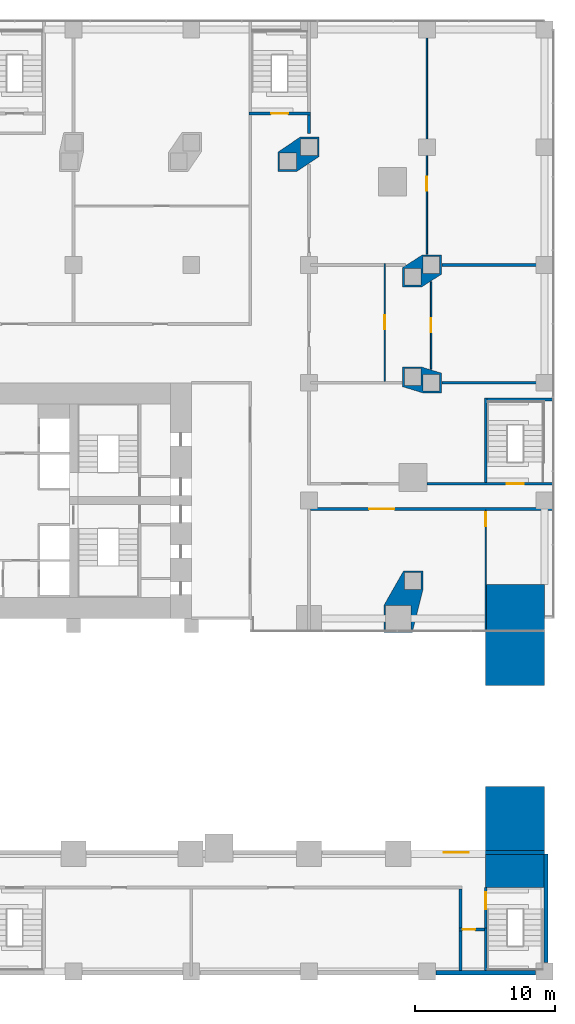
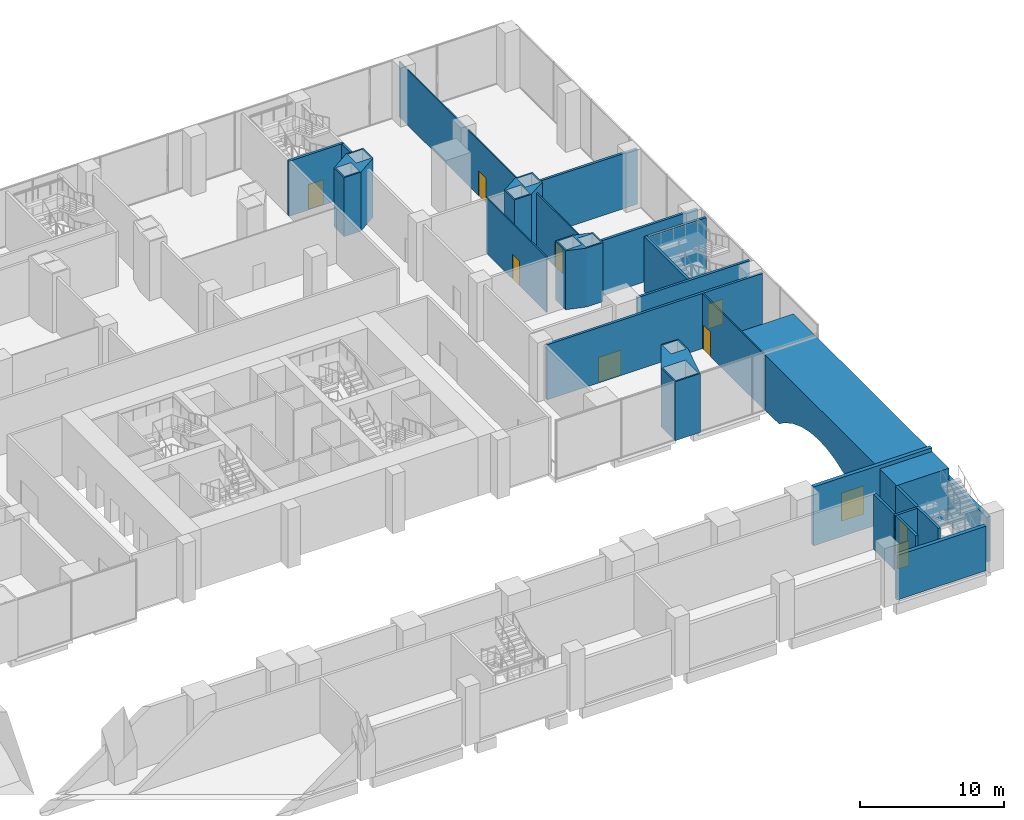
# One storey, part 20 of 28: 25 walls, 9 doors, 1 window, 10 openings.
"""IFC4 building model written with IfcOpenShell, lengths in metres."""

from ifc_helpers import new_model, si_unit, direction, frame, frame_2d, origin, place, context, subcontext, project, spatial, polyline, rectangle, outline, extrude, material, layer, layer_set, type_object, element, fill, save


model = new_model("IFC4")

# Units and contexts
model_context = context("Model", 3, precision=1e-05, world=origin(), true_north=direction((0.0, 1.0)))
body_context = subcontext(model_context, "Body", "Model", "MODEL_VIEW")
ifc_project = project(units=[si_unit("LENGTHUNIT", "METRE"), si_unit("AREAUNIT", "SQUARE_METRE"), si_unit("VOLUMEUNIT", "CUBIC_METRE"), si_unit("PLANEANGLEUNIT", "RADIAN"), si_unit("MASSUNIT", "GRAM", prefix="KILO")], contexts=[model_context])

# Site, building, storey
site_placement = place(None, origin())
site = spatial("IfcSite", under=ifc_project, at=site_placement, CompositionType="ELEMENT")
building_placement = place(site_placement, origin())
building = spatial("IfcBuilding", under=site, at=building_placement, Name="Marenta Gate Hotel Tower", CompositionType="ELEMENT")
storey_placement = place(building_placement, frame((0.0, 0.0, 26.0)))
storey = spatial("IfcBuildingStorey", under=building, at=storey_placement, Name="L04", CompositionType="ELEMENT", Elevation=26.0)

# Walls
ifc_material_1 = material(Name="Concrete C40 board-marked", Category="concrete")
ifc_layer_1 = layer(ifc_material_1, 0.300048828125)
ifc_layer_set_1 = layer_set([ifc_layer_1], Name="Concrete C40 board-marked")
wall_type_1 = type_object("IfcWallType", Name="Board-marked concrete wall 300 mm", PredefinedType="NOTDEFINED", material=ifc_layer_set_1)
wall_1_placement = place(storey_placement, frame((30.0400390625, -25.2900390625, 0.0), z_axis=(0.0, 0.0, 1.0), x_axis=(1.0, 0.0, 0.0)))
element("IfcWall", 1, at=wall_1_placement, inside=storey, type_object=wall_type_1, Name="L04-CLD-SB-S008", PredefinedType="NOTDEFINED", context=body_context, shape_type="SweptSolid", body=[
    extrude(rectangle(XDim=7.119873046875, YDim=0.300048828125, at=frame_2d((3.56005859375, 0.0))), origin(), (0.0, 0.0, 1.0), 3.780029296875),
])
wall_2_placement = place(storey_placement, frame((37.889892578125, -24.56005859375, 0.0), z_axis=(0.0, 0.0, 1.0), x_axis=(0.0, 1.0, 0.0)))
element("IfcWall", 2, at=wall_2_placement, inside=storey, type_object=wall_type_1, Name="L04-CLD-SB-E000", PredefinedType="NOTDEFINED", context=body_context, shape_type="SweptSolid", body=[
    extrude(rectangle(XDim=7.760009765625, YDim=0.300048828125, at=frame_2d((3.8798828125, 0.0))), origin(), (0.0, 0.0, 1.0), 3.780029296875),
])

# Wall, opening, window
wall_3_placement = place(storey_placement, frame((37.800048828125, -16.7099609375, 0.0), z_axis=(0.0, 0.0, 1.0), x_axis=(-1.0, 0.0, 0.0)))
wall_3 = element("IfcWall", 3, at=wall_3_placement, inside=storey, type_object=wall_type_1, Name="L04-CLD-SB-N000", PredefinedType="NOTDEFINED", context=body_context, shape_type="SweptSolid", body=[
    extrude(rectangle(XDim=9.4970703125, YDim=0.300048828125, at=frame_2d((4.74853515625, 0.0))), origin(), (0.0, 0.0, 1.0), 5.0),
])
opening_1_placement = place(wall_3_placement, frame((5.39990234375, 0.0, 1.199951171875)))
opening_1 = element("IfcOpeningElement", 4, at=opening_1_placement, cuts=wall_3, Name="Opening W5", PredefinedType="OPENING", context=body_context, shape_type="SweptSolid", body=[
    extrude(rectangle(XDim=1.800048828125, YDim=2.39990234375, at=frame_2d((0.89990234375, 1.199951171875))), frame((0.0, 0.14990234375, 0.0), z_axis=(0.0, -1.0, 0.0), x_axis=(1.0, 0.0, 0.0)), (0.0, 0.0, 1.0), 0.300048828125),
])
ifc_material_2 = material(Name="Tinted insulated glass in bronze anodised frame", Category="glass")
window_type = type_object("IfcWindowType", Name="Window W5 1800x2400 bronze frame", PartitioningType="SINGLE_PANEL", PredefinedType="WINDOW", material=ifc_material_2)
window_placement = place(opening_1_placement, origin())
window = element("IfcWindow", 5, at=window_placement, inside=storey, type_object=window_type, Name="Window W5", OverallHeight=2.39990234375, OverallWidth=1.800048828125, PartitioningType="SINGLE_PANEL", PredefinedType="WINDOW", context=body_context, shape_type="SweptSolid", body=[
    extrude(rectangle(XDim=1.800048828125, YDim=2.39990234375, at=frame_2d((0.89990234375, 1.199951171875))), frame((0.0, 0.030029296875, 0.0), z_axis=(0.0, -1.0, 0.0), x_axis=(1.0, 0.0, 0.0)), (0.0, 0.0, 1.0), 0.06005859375),
])
fill(opening_1, window)

# Walls
ifc_material_3 = material(Name="Concrete C80", Category="concrete")
ifc_layer_2 = layer(ifc_material_3, 4.199951171875)
ifc_layer_set_2 = layer_set([ifc_layer_2], Name="Concrete C80")
wall_type_2 = type_object("IfcWallType", Name="Gate spandrel wall 4200 C80", PredefinedType="SOLIDWALL", material=ifc_layer_set_2)
wall_4_placement = place(storey_placement, frame((37.800048828125, 2.39990234375, 0.0), z_axis=(1.0, 0.0, 0.0), x_axis=(0.0, 0.0, 1.0)))
element("IfcWall", 6, at=wall_4_placement, inside=storey, type_object=wall_type_2, Name="PW2 L04-PWL-EG5", PredefinedType="SOLIDWALL", context=body_context, shape_type="SweptSolid", body=[
    extrude(outline(polyline([(0.0, 0.0), (4.679931640625, 0.0), (4.679931640625, 21.599853515625), (0.0, 21.599853515625), (0.0, 16.3212890625), (0.541259765625, 15.599853515625), (1.19921875, 14.39990234375), (1.64990234375, 13.199951171875), (1.913330078125, 12.0), (2.0, 10.7998046875), (1.913330078125, 9.599853515625), (1.64990234375, 8.39990234375), (1.19921875, 7.199951171875), (0.541259765625, 6.0), (0.0, 5.278564453125), (0.0, 0.0)])), origin(), (0.0, 0.0, -1.0), 4.199951171875),
])
ifc_material_4 = material(Name="Concrete C70", Category="concrete")
ifc_layer_3 = layer(ifc_material_4, 1.60009765625)
ifc_layer_set_3 = layer_set([ifc_layer_3], Name="Concrete C70")
wall_type_3 = type_object("IfcWallType", Name="Pier wall board-marked concrete C70", PredefinedType="SOLIDWALL", material=ifc_layer_set_3)
wall_5_placement = place(storey_placement, origin())
element("IfcWall", 7, at=wall_5_placement, inside=storey, type_object=wall_type_3, Name="L04-PIER-9", PredefinedType="SOLIDWALL", context=body_context, shape_type="SweptSolid", body=[
    extrude(outline(polyline([(20.363525390625, 34.320068359375), (21.719970703125, 34.320068359375), (21.719970703125, 32.93603515625), (20.143310546875, 31.8798828125), (18.786865234375, 31.8798828125), (18.786865234375, 33.26416015625), (20.363525390625, 34.320068359375)]), holes=[polyline([(21.60009765625, 33.0), (21.60009765625, 34.199951171875), (20.39990234375, 34.199951171875), (20.39990234375, 33.0), (21.60009765625, 33.0)]), polyline([(20.10693359375, 32.0), (20.10693359375, 33.199951171875), (18.906982421875, 33.199951171875), (18.906982421875, 32.0), (20.10693359375, 32.0)])]), origin(), (0.0, 0.0, 1.0), 5.0),
])
wall_6_placement = place(storey_placement, origin())
element("IfcWall", 8, at=wall_6_placement, inside=storey, type_object=wall_type_3, Name="L04-PIER-10", PredefinedType="SOLIDWALL", context=body_context, shape_type="SweptSolid", body=[
    extrude(outline(polyline([(27.679931640625, 25.022216796875), (29.0849609375, 25.919921875), (30.43994140625, 25.919921875), (30.43994140625, 24.5341796875), (29.03515625, 23.636474609375), (27.679931640625, 23.636474609375), (27.679931640625, 25.022216796875)]), holes=[polyline([(29.1201171875, 24.60009765625), (30.320068359375, 24.60009765625), (30.320068359375, 25.800048828125), (29.1201171875, 25.800048828125), (29.1201171875, 24.60009765625)]), polyline([(27.800048828125, 23.75634765625), (29.0, 23.75634765625), (29.0, 24.956298828125), (27.800048828125, 24.956298828125), (27.800048828125, 23.75634765625)])]), origin(), (0.0, 0.0, 1.0), 5.0),
])
wall_7_placement = place(storey_placement, origin())
element("IfcWall", 9, at=wall_7_placement, inside=storey, type_object=wall_type_3, Name="L04-PIER-11", PredefinedType="SOLIDWALL", context=body_context, shape_type="SweptSolid", body=[
    extrude(outline(polyline([(27.679931640625, 16.514404296875), (27.679931640625, 17.923095703125), (29.017822265625, 17.923095703125), (30.43994140625, 17.48876953125), (30.43994140625, 16.080078125), (29.10205078125, 16.080078125), (27.679931640625, 16.514404296875)]), holes=[polyline([(29.1201171875, 16.199951171875), (30.320068359375, 16.199951171875), (30.320068359375, 17.39990234375), (29.1201171875, 17.39990234375), (29.1201171875, 16.199951171875)]), polyline([(27.800048828125, 16.603271484375), (29.0, 16.603271484375), (29.0, 17.80322265625), (27.800048828125, 17.80322265625), (27.800048828125, 16.603271484375)])]), origin(), (0.0, 0.0, 1.0), 5.0),
])
wall_8_placement = place(storey_placement, origin())
element("IfcWall", 10, at=wall_8_placement, inside=storey, type_object=wall_type_3, Name="L04-PIER-12", PredefinedType="SOLIDWALL", context=body_context, shape_type="SweptSolid", body=[
    extrude(outline(polyline([(26.343017578125, 0.931640625), (27.730224609375, 3.369140625), (29.1201171875, 3.369140625), (29.1201171875, 2.034423828125), (28.356689453125, -1.02001953125), (26.343017578125, -1.02001953125), (26.343017578125, 0.931640625)]), holes=[polyline([(27.800048828125, 2.049072265625), (29.0, 2.049072265625), (29.0, 3.2490234375), (27.800048828125, 3.2490234375), (27.800048828125, 2.049072265625)]), polyline([(26.462890625, -0.89990234375), (28.262939453125, -0.89990234375), (28.262939453125, 0.89990234375), (26.462890625, 0.89990234375), (26.462890625, -0.89990234375)])]), origin(), (0.0, 0.0, 1.0), 5.0),
])
ifc_material_5 = material(Name="Concrete blockwork", Category="masonry")
ifc_layer_4 = layer(ifc_material_5, 0.199951171875)
ifc_layer_set_4 = layer_set([ifc_layer_4], Name="Concrete blockwork")
wall_type_4 = type_object("IfcWallType", Name="Room corridor wall 200 EI 120", PredefinedType="PARTITIONING", material=ifc_layer_set_4)
wall_9_placement = place(storey_placement, frame((21.0, 34.56689453125, 0.0), z_axis=(0.0, 0.0, 1.0), x_axis=(0.0, 1.0, 0.0)))
element("IfcWall", 11, at=wall_9_placement, inside=storey, type_object=wall_type_4, Name="L04-PTN-W014", PredefinedType="PARTITIONING", context=body_context, shape_type="SweptSolid", body=[
    extrude(rectangle(XDim=1.3330078125, YDim=0.199951171875, at=frame_2d((0.66650390625, 0.0))), origin(), (0.0, 0.0, 1.0), 4.679931640625),
])

# Wall, opening, door
ifc_material_6 = material(Name="Concrete blockwork", Category="masonry")
ifc_layer_5 = layer(ifc_material_6, 0.199951171875)
ifc_layer_set_5 = layer_set([ifc_layer_5], Name="Concrete blockwork")
wall_type_5 = type_object("IfcWallType", Name="Room corridor wall 200 REI 180", PredefinedType="PARTITIONING", material=ifc_layer_set_5)
wall_10_placement = place(storey_placement, frame((33.60009765625, -22.300048828125, 0.0), z_axis=(0.0, 0.0, 1.0), x_axis=(0.0, 1.0, 0.0)))
wall_10 = element("IfcWall", 12, at=wall_10_placement, inside=storey, type_object=wall_type_5, Name="L04-PTN-W003", PredefinedType="PARTITIONING", context=body_context, shape_type="SweptSolid", body=[
    extrude(rectangle(XDim=3.10009765625, YDim=0.199951171875, at=frame_2d((1.550048828125, 0.0))), origin(), (0.0, 0.0, 1.0), 4.679931640625),
])
opening_2_placement = place(wall_10_placement, frame((1.550048828125, 0.0, 0.0)))
opening_2 = element("IfcOpeningElement", 13, at=opening_2_placement, cuts=wall_10, Name="Opening S05-27", PredefinedType="OPENING", context=body_context, shape_type="SweptSolid", body=[
    extrude(rectangle(XDim=1.199951171875, YDim=2.10009765625, at=frame_2d((0.60009765625, 1.050048828125))), frame((0.0, 0.10009765625, 0.0), z_axis=(0.0, -1.0, 0.0), x_axis=(1.0, 0.0, 0.0)), (0.0, 0.0, 1.0), 0.199951171875),
])
ifc_material_7 = material(Name="Hollow steel door set", Category="steel")
door_type_1 = type_object("IfcDoorType", Name="Podium stair door 1200x2100 EI 60", OperationType="NOTDEFINED", PredefinedType="DOOR", material=ifc_material_7)
door_1_placement = place(opening_2_placement, origin())
door_1 = element("IfcDoor", 14, at=door_1_placement, inside=storey, type_object=door_type_1, Name="L04-PD-D027", OperationType="SINGLE_SWING_LEFT", OverallHeight=2.10009765625, OverallWidth=1.199951171875, PredefinedType="DOOR", context=body_context, shape_type="SweptSolid", body=[
    extrude(rectangle(XDim=1.199951171875, YDim=2.10009765625, at=frame_2d((0.60009765625, 1.050048828125))), frame((0.0, 0.02490234375, 0.0), z_axis=(0.0, -1.0, 0.0), x_axis=(1.0, 0.0, 0.0)), (0.0, 0.0, 1.0), 0.050048828125),
])
fill(opening_2, door_1)

# Wall
wall_11_placement = place(storey_placement, frame((31.800048828125, -22.10009765625, 0.0), z_axis=(0.0, 0.0, 1.0), x_axis=(0.0, 1.0, 0.0)))
element("IfcWall", 15, at=wall_11_placement, inside=storey, type_object=wall_type_5, Name="L04-PTN-W006", PredefinedType="PARTITIONING", context=body_context, shape_type="SweptSolid", body=[
    extrude(rectangle(XDim=2.800048828125, YDim=0.199951171875, at=frame_2d((1.39990234375, 0.0))), origin(), (0.0, 0.0, 1.0), 4.679931640625),
])

# Wall, opening, door
wall_12_placement = place(storey_placement, frame((31.699951171875, -22.199951171875, 0.0), z_axis=(0.0, 0.0, 1.0), x_axis=(1.0, 0.0, 0.0)))
wall_12 = element("IfcWall", 16, at=wall_12_placement, inside=storey, type_object=wall_type_5, Name="L04-PTN-W011", PredefinedType="PARTITIONING", context=body_context, shape_type="SweptSolid", body=[
    extrude(rectangle(XDim=1.800048828125, YDim=0.199951171875, at=frame_2d((0.89990234375, 0.0))), origin(), (0.0, 0.0, 1.0), 4.679931640625),
])
opening_3_placement = place(wall_12_placement, frame((0.25, 0.0, 0.0)))
opening_3 = element("IfcOpeningElement", 17, at=opening_3_placement, cuts=wall_12, Name="Opening S05-28", PredefinedType="OPENING", context=body_context, shape_type="SweptSolid", body=[
    extrude(rectangle(XDim=0.89990234375, YDim=2.10009765625, at=frame_2d((0.449951171875, 1.050048828125))), frame((0.0, 0.10009765625, 0.0), z_axis=(0.0, -1.0, 0.0), x_axis=(1.0, 0.0, 0.0)), (0.0, 0.0, 1.0), 0.199951171875),
])
ifc_material_8 = material(Name="Hollow steel door set", Category="steel")
door_type_2 = type_object("IfcDoorType", Name="Room service door 900x2100 EI 60", OperationType="NOTDEFINED", PredefinedType="DOOR", material=ifc_material_8)
door_2_placement = place(opening_3_placement, origin())
door_2 = element("IfcDoor", 18, at=door_2_placement, inside=storey, type_object=door_type_2, Name="L04-PD-D028", OperationType="SINGLE_SWING_RIGHT", OverallHeight=2.10009765625, OverallWidth=0.89990234375, PredefinedType="DOOR", context=body_context, shape_type="SweptSolid", body=[
    extrude(rectangle(XDim=0.89990234375, YDim=2.10009765625, at=frame_2d((0.449951171875, 1.050048828125))), frame((0.0, 0.02490234375, 0.0), z_axis=(0.0, -1.0, 0.0), x_axis=(1.0, 0.0, 0.0)), (0.0, 0.0, 1.0), 0.050048828125),
])
fill(opening_3, door_2)

wall_13_placement = place(storey_placement, frame((21.10009765625, 7.800048828125, 0.0), z_axis=(0.0, 0.0, 1.0), x_axis=(1.0, 0.0, 0.0)))
wall_13 = element("IfcWall", 19, at=wall_13_placement, inside=storey, type_object=wall_type_5, Name="L04-PTN-W031", PredefinedType="PARTITIONING", context=body_context, shape_type="SweptSolid", body=[
    extrude(rectangle(XDim=17.283935546875, YDim=0.199951171875, at=frame_2d((8.64208984375, 0.0))), origin(), (0.0, 0.0, 1.0), 4.679931640625),
])
opening_4_placement = place(wall_13_placement, frame((4.175048828125, 0.0, 0.0)))
opening_4 = element("IfcOpeningElement", 20, at=opening_4_placement, cuts=wall_13, Name="Opening S05-10", PredefinedType="OPENING", context=body_context, shape_type="SweptSolid", body=[
    extrude(rectangle(XDim=1.800048828125, YDim=2.10009765625, at=frame_2d((0.89990234375, 1.050048828125))), frame((0.0, 0.10009765625, 0.0), z_axis=(0.0, -1.0, 0.0), x_axis=(1.0, 0.0, 0.0)), (0.0, 0.0, 1.0), 0.199951171875),
])
ifc_material_9 = material(Name="Timber door leaf", Category="wood")
door_type_3 = type_object("IfcDoorType", Name="Room amenity door 1800x2100 EI 60", OperationType="DOUBLE_DOOR_SINGLE_SWING", PredefinedType="DOOR", material=ifc_material_9)
door_3_placement = place(opening_4_placement, origin())
door_3 = element("IfcDoor", 21, at=door_3_placement, inside=storey, type_object=door_type_3, Name="L04-PD-D010", OperationType="DOUBLE_DOOR_SINGLE_SWING", OverallHeight=2.10009765625, OverallWidth=1.800048828125, PredefinedType="DOOR", context=body_context, shape_type="SweptSolid", body=[
    extrude(rectangle(XDim=1.800048828125, YDim=2.10009765625, at=frame_2d((0.89990234375, 1.050048828125))), frame((0.0, 0.02490234375, 0.0), z_axis=(0.0, -1.0, 0.0), x_axis=(1.0, 0.0, 0.0)), (0.0, 0.0, 1.0), 0.050048828125),
])
fill(opening_4, door_3)

wall_14_placement = place(storey_placement, frame((29.39990234375, 9.60009765625, 0.0), z_axis=(0.0, 0.0, 1.0), x_axis=(1.0, 0.0, 0.0)))
wall_14 = element("IfcWall", 22, at=wall_14_placement, inside=storey, type_object=wall_type_5, Name="L04-PTN-W035", PredefinedType="PARTITIONING", context=body_context, shape_type="SweptSolid", body=[
    extrude(rectangle(XDim=8.984130859375, YDim=0.199951171875, at=frame_2d((4.4921875, 0.0))), origin(), (0.0, 0.0, 1.0), 4.679931640625),
])
opening_5_placement = place(wall_14_placement, frame((5.699951171875, 0.0, 0.0)))
opening_5 = element("IfcOpeningElement", 23, at=opening_5_placement, cuts=wall_14, Name="Opening S05-35", PredefinedType="OPENING", context=body_context, shape_type="SweptSolid", body=[
    extrude(rectangle(XDim=1.199951171875, YDim=2.10009765625, at=frame_2d((0.60009765625, 1.050048828125))), frame((0.0, 0.10009765625, 0.0), z_axis=(0.0, -1.0, 0.0), x_axis=(1.0, 0.0, 0.0)), (0.0, 0.0, 1.0), 0.199951171875),
])
door_4_placement = place(opening_5_placement, origin())
door_4 = element("IfcDoor", 24, at=door_4_placement, inside=storey, type_object=door_type_1, Name="L04-PD-D035", OperationType="SINGLE_SWING_LEFT", OverallHeight=2.10009765625, OverallWidth=1.199951171875, PredefinedType="DOOR", context=body_context, shape_type="SweptSolid", body=[
    extrude(rectangle(XDim=1.199951171875, YDim=2.10009765625, at=frame_2d((0.60009765625, 1.050048828125))), frame((0.0, 0.02490234375, 0.0), z_axis=(0.0, -1.0, 0.0), x_axis=(1.0, 0.0, 0.0)), (0.0, 0.0, 1.0), 0.050048828125),
])
fill(opening_5, door_4)

wall_15_placement = place(storey_placement, frame((16.699951171875, 36.0, 0.0), z_axis=(0.0, 0.0, 1.0), x_axis=(1.0, 0.0, 0.0)))
wall_15 = element("IfcWall", 25, at=wall_15_placement, inside=storey, type_object=wall_type_5, Name="L04-PTN-W071", PredefinedType="PARTITIONING", context=body_context, shape_type="SweptSolid", body=[
    extrude(rectangle(XDim=4.400146484375, YDim=0.199951171875, at=frame_2d((2.2001953125, 0.0))), origin(), (0.0, 0.0, 1.0), 4.679931640625),
])
opening_6_placement = place(wall_15_placement, frame((1.60009765625, 0.0, 0.0)))
opening_6 = element("IfcOpeningElement", 26, at=opening_6_placement, cuts=wall_15, Name="Opening S05-02", PredefinedType="OPENING", context=body_context, shape_type="SweptSolid", body=[
    extrude(rectangle(XDim=1.199951171875, YDim=2.10009765625, at=frame_2d((0.60009765625, 1.050048828125))), frame((0.0, 0.10009765625, 0.0), z_axis=(0.0, -1.0, 0.0), x_axis=(1.0, 0.0, 0.0)), (0.0, 0.0, 1.0), 0.199951171875),
])
door_5_placement = place(opening_6_placement, origin())
door_5 = element("IfcDoor", 27, at=door_5_placement, inside=storey, type_object=door_type_1, Name="L04-PD-D002", OperationType="SINGLE_SWING_LEFT", OverallHeight=2.10009765625, OverallWidth=1.199951171875, PredefinedType="DOOR", context=body_context, shape_type="SweptSolid", body=[
    extrude(rectangle(XDim=1.199951171875, YDim=2.10009765625, at=frame_2d((0.60009765625, 1.050048828125))), frame((0.0, 0.02490234375, 0.0), z_axis=(0.0, -1.0, 0.0), x_axis=(1.0, 0.0, 0.0)), (0.0, 0.0, 1.0), 0.050048828125),
])
fill(opening_6, door_5)

ifc_material_10 = material(Name="Gypsum board on steel stud", Category="steel")
ifc_layer_6 = layer(ifc_material_10, 0.10009765625)
ifc_layer_set_6 = layer_set([ifc_layer_6], Name="Gypsum board on steel stud")
wall_type_6 = type_object("IfcWallType", Name="Room partition 100", PredefinedType="PARTITIONING", material=ifc_layer_set_6)
wall_16_placement = place(storey_placement, frame((33.60009765625, -0.884033203125, 0.0), z_axis=(0.0, 0.0, 1.0), x_axis=(0.0, 1.0, 0.0)))
wall_16 = element("IfcWall", 28, at=wall_16_placement, inside=storey, type_object=wall_type_6, Name="L04-PTN-W004", PredefinedType="PARTITIONING", context=body_context, shape_type="SweptSolid", body=[
    extrude(rectangle(XDim=8.583984375, YDim=0.10009765625, at=frame_2d((4.2919921875, 0.0))), origin(), (0.0, 0.0, 1.0), 4.679931640625),
])
opening_7_placement = place(wall_16_placement, frame((7.43408203125, 0.0, 0.0)))
opening_7 = element("IfcOpeningElement", 29, at=opening_7_placement, cuts=wall_16, Name="Opening S05-12", PredefinedType="OPENING", context=body_context, shape_type="SweptSolid", body=[
    extrude(rectangle(XDim=1.0, YDim=2.10009765625, at=frame_2d((0.5, 1.050048828125))), frame((0.0, 0.050048828125, 0.0), z_axis=(0.0, -1.0, 0.0), x_axis=(1.0, 0.0, 0.0)), (0.0, 0.0, 1.0), 0.10009765625),
])
ifc_material_11 = material(Name="Hollow steel door set", Category="steel")
door_type_4 = type_object("IfcDoorType", Name="Plant room door 1000x2100", OperationType="NOTDEFINED", PredefinedType="DOOR", material=ifc_material_11)
door_6_placement = place(opening_7_placement, origin())
door_6 = element("IfcDoor", 30, at=door_6_placement, inside=storey, type_object=door_type_4, Name="L04-PD-D012", OperationType="SINGLE_SWING_LEFT", OverallHeight=2.10009765625, OverallWidth=1.0, PredefinedType="DOOR", context=body_context, shape_type="SweptSolid", body=[
    extrude(rectangle(XDim=1.0, YDim=2.10009765625, at=frame_2d((0.5, 1.050048828125))), frame((0.0, 0.02490234375, 0.0), z_axis=(0.0, -1.0, 0.0), x_axis=(1.0, 0.0, 0.0)), (0.0, 0.0, 1.0), 0.050048828125),
])
fill(opening_7, door_6)

wall_17_placement = place(storey_placement, frame((29.699951171875, 17.76708984375, 0.0), z_axis=(0.0, 0.0, 1.0), x_axis=(0.0, 1.0, 0.0)))
wall_17 = element("IfcWall", 31, at=wall_17_placement, inside=storey, type_object=wall_type_6, Name="L04-PTN-W007", PredefinedType="PARTITIONING", context=body_context, shape_type="SweptSolid", body=[
    extrude(rectangle(XDim=6.23486328125, YDim=0.10009765625, at=frame_2d((3.117431640625, 0.0))), origin(), (0.0, 0.0, 1.0), 4.679931640625),
])
opening_8_placement = place(wall_17_placement, frame((2.617919921875, 0.0, 0.0)))
opening_8 = element("IfcOpeningElement", 32, at=opening_8_placement, cuts=wall_17, Name="Opening S05-15", PredefinedType="OPENING", context=body_context, shape_type="SweptSolid", body=[
    extrude(rectangle(XDim=1.0, YDim=2.10009765625, at=frame_2d((0.5, 1.050048828125))), frame((0.0, 0.050048828125, 0.0), z_axis=(0.0, -1.0, 0.0), x_axis=(1.0, 0.0, 0.0)), (0.0, 0.0, 1.0), 0.10009765625),
])
ifc_material_12 = material(Name="Hollow steel door set", Category="steel")
door_type_5 = type_object("IfcDoorType", Name="Room service door 1000x2100", OperationType="NOTDEFINED", PredefinedType="DOOR", material=ifc_material_12)
door_7_placement = place(opening_8_placement, origin())
door_7 = element("IfcDoor", 33, at=door_7_placement, inside=storey, type_object=door_type_5, Name="L04-PD-D015", OperationType="SINGLE_SWING_LEFT", OverallHeight=2.10009765625, OverallWidth=1.0, PredefinedType="DOOR", context=body_context, shape_type="SweptSolid", body=[
    extrude(rectangle(XDim=1.0, YDim=2.10009765625, at=frame_2d((0.5, 1.050048828125))), frame((0.0, 0.02490234375, 0.0), z_axis=(0.0, -1.0, 0.0), x_axis=(1.0, 0.0, 0.0)), (0.0, 0.0, 1.0), 0.050048828125),
])
fill(opening_8, door_7)

wall_18_placement = place(storey_placement, frame((29.39990234375, 25.969970703125, 0.0), z_axis=(0.0, 0.0, 1.0), x_axis=(0.0, 1.0, 0.0)))
wall_18 = element("IfcWall", 34, at=wall_18_placement, inside=storey, type_object=wall_type_6, Name="L04-PTN-W008", PredefinedType="PARTITIONING", context=body_context, shape_type="SweptSolid", body=[
    extrude(rectangle(XDim=16.614013671875, YDim=0.10009765625, at=frame_2d((8.30712890625, 0.0))), origin(), (0.0, 0.0, 1.0), 4.679931640625),
])
opening_9_placement = place(wall_18_placement, frame((4.514892578125, 0.0, 0.0)))
opening_9 = element("IfcOpeningElement", 35, at=opening_9_placement, cuts=wall_18, Name="Opening S05-17", PredefinedType="OPENING", context=body_context, shape_type="SweptSolid", body=[
    extrude(rectangle(XDim=1.0, YDim=2.10009765625, at=frame_2d((0.5, 1.050048828125))), frame((0.0, 0.050048828125, 0.0), z_axis=(0.0, -1.0, 0.0), x_axis=(1.0, 0.0, 0.0)), (0.0, 0.0, 1.0), 0.10009765625),
])
ifc_material_13 = material(Name="Timber door leaf", Category="wood")
door_type_6 = type_object("IfcDoorType", Name="Room inner door 1000x2100", OperationType="NOTDEFINED", PredefinedType="DOOR", material=ifc_material_13)
door_8_placement = place(opening_9_placement, origin())
door_8 = element("IfcDoor", 36, at=door_8_placement, inside=storey, type_object=door_type_6, Name="L04-PD-D017", OperationType="SINGLE_SWING_LEFT", OverallHeight=2.10009765625, OverallWidth=1.0, PredefinedType="DOOR", context=body_context, shape_type="SweptSolid", body=[
    extrude(rectangle(XDim=1.0, YDim=2.10009765625, at=frame_2d((0.5, 1.050048828125))), frame((0.0, 0.02490234375, 0.0), z_axis=(0.0, -1.0, 0.0), x_axis=(1.0, 0.0, 0.0)), (0.0, 0.0, 1.0), 0.050048828125),
])
fill(opening_9, door_8)

wall_19_placement = place(storey_placement, frame((26.39990234375, 16.89990234375, 0.0), z_axis=(0.0, 0.0, 1.0), x_axis=(0.0, 1.0, 0.0)))
wall_19 = element("IfcWall", 37, at=wall_19_placement, inside=storey, type_object=wall_type_6, Name="L04-PTN-W009", PredefinedType="PARTITIONING", context=body_context, shape_type="SweptSolid", body=[
    extrude(rectangle(XDim=8.400146484375, YDim=0.10009765625, at=frame_2d((4.2001953125, 0.0))), origin(), (0.0, 0.0, 1.0), 4.679931640625),
])
opening_10_placement = place(wall_19_placement, frame((3.699951171875, 0.0, 0.0)))
opening_10 = element("IfcOpeningElement", 38, at=opening_10_placement, cuts=wall_19, Name="Opening S05-14", PredefinedType="OPENING", context=body_context, shape_type="SweptSolid", body=[
    extrude(rectangle(XDim=1.0, YDim=2.10009765625, at=frame_2d((0.5, 1.050048828125))), frame((0.0, 0.050048828125, 0.0), z_axis=(0.0, -1.0, 0.0), x_axis=(1.0, 0.0, 0.0)), (0.0, 0.0, 1.0), 0.10009765625),
])
door_9_placement = place(opening_10_placement, origin())
door_9 = element("IfcDoor", 39, at=door_9_placement, inside=storey, type_object=door_type_6, Name="L04-PD-D014", OperationType="SINGLE_SWING_LEFT", OverallHeight=2.10009765625, OverallWidth=1.0, PredefinedType="DOOR", context=body_context, shape_type="SweptSolid", body=[
    extrude(rectangle(XDim=1.0, YDim=2.10009765625, at=frame_2d((0.5, 1.050048828125))), frame((0.0, 0.02490234375, 0.0), z_axis=(0.0, -1.0, 0.0), x_axis=(1.0, 0.0, 0.0)), (0.0, 0.0, 1.0), 0.050048828125),
])
fill(opening_10, door_9)

# Walls
ifc_material_14 = material(Name="Concrete blockwork", Category="masonry")
ifc_layer_7 = layer(ifc_material_14, 0.199951171875)
ifc_layer_set_7 = layer_set([ifc_layer_7], Name="Concrete blockwork")
wall_type_7 = type_object("IfcWallType", Name="Room party wall 200 EI 120", PredefinedType="PARTITIONING", material=ifc_layer_set_7)
wall_20_placement = place(storey_placement, frame((31.800048828125, -25.139892578125, 0.0), z_axis=(0.0, 0.0, 1.0), x_axis=(0.0, 1.0, 0.0)))
element("IfcWall", 40, at=wall_20_placement, inside=storey, type_object=wall_type_7, Name="L04-PTN-W005", PredefinedType="PARTITIONING", context=body_context, shape_type="SweptSolid", body=[
    extrude(rectangle(XDim=2.83984375, YDim=0.199951171875, at=frame_2d((1.419921875, 0.0))), origin(), (0.0, 0.0, 1.0), 4.679931640625),
])
for number, where, z_axis, x_axis, name in (
    (41, (30.489990234375, 16.800048828125, 0.0), (0.0, 0.0, 1.0), (1.0, 0.0, 0.0), "L04-PTN-W044"),
    (42, (30.489990234375, 25.199951171875, 0.0), (0.0, 0.0, 1.0), (1.0, 0.0, 0.0), "L04-PTN-W053"),
):
    element("IfcWall", number, at=place(storey_placement, frame(where, z_axis=z_axis, x_axis=x_axis)), inside=storey, type_object=wall_type_7, Name=name, PredefinedType="PARTITIONING", context=body_context, shape_type="SweptSolid", body=[
        extrude(rectangle(XDim=7.89404296875, YDim=0.199951171875, at=frame_2d((3.947021484375, 0.0))), origin(), (0.0, 0.0, 1.0), 4.679931640625),
    ])
ifc_material_15 = material(Name="Concrete blockwork", Category="masonry")
ifc_layer_8 = layer(ifc_material_15, 0.199951171875)
ifc_layer_set_8 = layer_set([ifc_layer_8], Name="Concrete blockwork")
wall_type_8 = type_object("IfcWallType", Name="Room party wall 200 REI 180", PredefinedType="PARTITIONING", material=ifc_layer_set_8)
wall_21_placement = place(storey_placement, frame((33.60009765625, -25.139892578125, 0.0), z_axis=(0.0, 0.0, 1.0), x_axis=(0.0, 1.0, 0.0)))
element("IfcWall", 43, at=wall_21_placement, inside=storey, type_object=wall_type_8, Name="L04-PTN-W001", PredefinedType="PARTITIONING", context=body_context, shape_type="SweptSolid", body=[
    extrude(rectangle(XDim=3.039794921875, YDim=0.199951171875, at=frame_2d((1.52001953125, 0.0))), origin(), (0.0, 0.0, 1.0), 4.679931640625),
])
wall_22_placement = place(storey_placement, frame((33.60009765625, 9.699951171875, 0.0), z_axis=(0.0, 0.0, 1.0), x_axis=(0.0, 1.0, 0.0)))
element("IfcWall", 44, at=wall_22_placement, inside=storey, type_object=wall_type_8, Name="L04-PTN-W002", PredefinedType="PARTITIONING", context=body_context, shape_type="SweptSolid", body=[
    extrude(rectangle(XDim=6.0, YDim=0.199951171875, at=frame_2d((3.0, 0.0))), origin(), (0.0, 0.0, 1.0), 4.679931640625),
])
wall_23_placement = place(storey_placement, frame((33.699951171875, 15.60009765625, 0.0), z_axis=(0.0, 0.0, 1.0), x_axis=(1.0, 0.0, 0.0)))
element("IfcWall", 45, at=wall_23_placement, inside=storey, type_object=wall_type_8, Name="L04-PTN-W038", PredefinedType="PARTITIONING", context=body_context, shape_type="SweptSolid", body=[
    extrude(rectangle(XDim=4.68408203125, YDim=0.199951171875, at=frame_2d((2.342041015625, 0.0))), origin(), (0.0, 0.0, 1.0), 4.679931640625),
])

save(model, "model.ifc")
